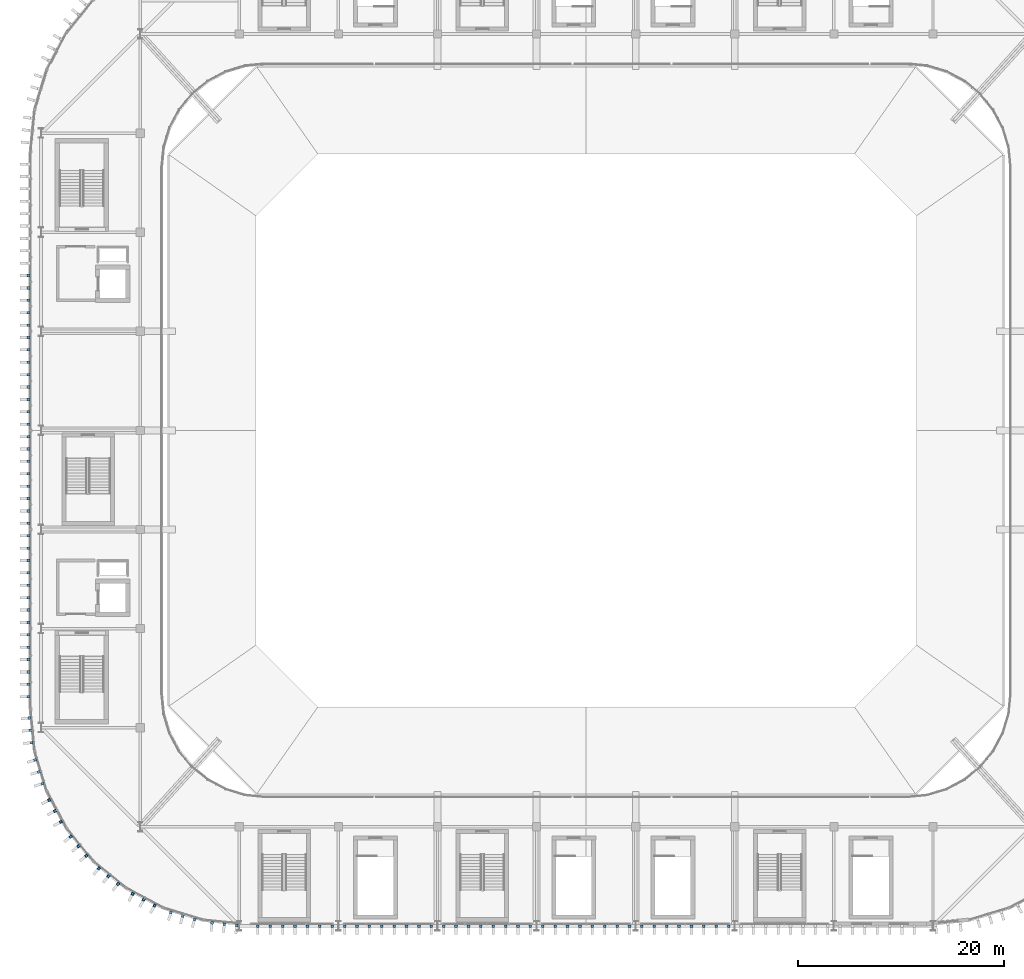
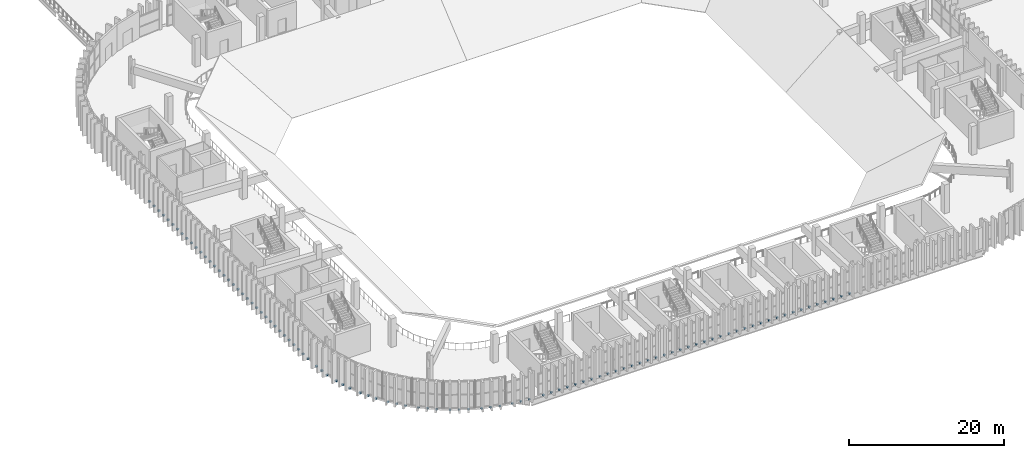
# One storey, part 50 of 69: 98 discrete accessories.
"""IFC4 building model written with IfcOpenShell, lengths in metres."""

from ifc_helpers import new_model, si_unit, direction, frame, origin, origin_2d, place, context, subcontext, project, spatial, rectangle, extrude, material, type_object, element, save


model = new_model("IFC4")

# Units and contexts
model_context = context("Model", 3, precision=1e-05, world=origin(), true_north=direction((0.0, 1.0)))
body_context = subcontext(model_context, "Body", "Model", "MODEL_VIEW")
ifc_project = project(units=[si_unit("LENGTHUNIT", "METRE"), si_unit("AREAUNIT", "SQUARE_METRE"), si_unit("VOLUMEUNIT", "CUBIC_METRE"), si_unit("PLANEANGLEUNIT", "RADIAN"), si_unit("MASSUNIT", "GRAM", prefix="KILO")], contexts=[model_context])

# Site, building, storey
site_placement = place(None, origin())
site = spatial("IfcSite", under=ifc_project, at=site_placement, CompositionType="ELEMENT")
building_placement = place(site_placement, origin())
building = spatial("IfcBuilding", under=site, at=building_placement, Name="Caelomonte Colonnade Arena", CompositionType="ELEMENT")
storey_placement = place(building_placement, frame((0.0, 0.0, 18.60009765625)))
storey = spatial("IfcBuildingStorey", under=building, at=storey_placement, Name="L04", CompositionType="ELEMENT", Elevation=18.60009765625)

# Discrete accessories
ifc_material = material(Name="Steel ASTM A572 Grade 50", Category="steel")
discrete_accessory_type = type_object("IfcDiscreteAccessoryType", Name="ENV-ACC-BRK", PredefinedType="BRACKET", material=ifc_material)
for number, where, z_axis, x_axis, name in (
    (1, (56.3701171875, 82.199951171875, -0.2099609375), (0.0, 0.0, 1.0), (0.0, -1.0, 0.0), "V1 L04 fin support bracket 180"),
    (2, (56.3701171875, 81.0, -0.2099609375), (0.0, 0.0, 1.0), (0.0, -1.0, 0.0), "V1 L04 fin support bracket 181"),
    (3, (56.3701171875, 79.800048828125, -0.2099609375), (0.0, 0.0, 1.0), (0.0, -1.0, 0.0), "V1 L04 fin support bracket 182"),
    (4, (56.3701171875, 78.60009765625, -0.2099609375), (0.0, 0.0, 1.0), (0.0, -1.0, 0.0), "V1 L04 fin support bracket 183"),
    (5, (56.3701171875, 77.39990234375, -0.2099609375), (0.0, 0.0, 1.0), (0.0, -1.0, 0.0), "V1 L04 fin support bracket 184"),
    (6, (56.3701171875, 76.199951171875, -0.2099609375), (0.0, 0.0, 1.0), (0.0, -1.0, 0.0), "V1 L04 fin support bracket 185"),
    (7, (56.3701171875, 75.0, -0.2099609375), (0.0, 0.0, 1.0), (0.0, -1.0, 0.0), "V1 L04 fin support bracket 186"),
    (8, (56.3701171875, 73.800048828125, -0.2099609375), (0.0, 0.0, 1.0), (0.0, -1.0, 0.0), "V1 L04 fin support bracket 187"),
    (9, (56.3701171875, 72.60009765625, -0.2099609375), (0.0, 0.0, 1.0), (0.0, -1.0, 0.0), "V1 L04 fin support bracket 188"),
    (10, (56.3701171875, 71.39990234375, -0.2099609375), (0.0, 0.0, 1.0), (0.0, -1.0, 0.0), "V1 L04 fin support bracket 189"),
    (11, (56.3701171875, 70.199951171875, -0.2099609375), (0.0, 0.0, 1.0), (0.0, -1.0, 0.0), "V1 L04 fin support bracket 190"),
    (12, (56.3701171875, 69.0, -0.2099609375), (0.0, 0.0, 1.0), (0.0, -1.0, 0.0), "V1 L04 fin support bracket 191"),
    (13, (56.3701171875, 67.800048828125, -0.2099609375), (0.0, 0.0, 1.0), (0.0, -1.0, 0.0), "V1 L04 fin support bracket 192"),
    (14, (56.3701171875, 66.60009765625, -0.2099609375), (0.0, 0.0, 1.0), (0.0, -1.0, 0.0), "V1 L04 fin support bracket 193"),
    (15, (56.3701171875, 65.39990234375, -0.2099609375), (0.0, 0.0, 1.0), (0.0, -1.0, 0.0), "V1 L04 fin support bracket 194"),
    (16, (56.3701171875, 64.199951171875, -0.2099609375), (0.0, 0.0, 1.0), (0.0, -1.0, 0.0), "V1 L04 fin support bracket 195"),
    (17, (56.3701171875, 63.0, -0.2099609375), (0.0, 0.0, 1.0), (0.0, -1.0, 0.0), "V1 L04 fin support bracket 196"),
    (18, (56.3701171875, 61.800048828125, -0.2099609375), (0.0, 0.0, 1.0), (0.0, -1.0, 0.0), "V1 L04 fin support bracket 197"),
    (19, (56.3701171875, 60.60009765625, -0.2099609375), (0.0, 0.0, 1.0), (0.0, -1.0, 0.0), "V1 L04 fin support bracket 198"),
    (20, (56.3701171875, 59.39990234375, -0.2099609375), (0.0, 0.0, 1.0), (0.0, -1.0, 0.0), "V1 L04 fin support bracket 199"),
    (21, (56.3701171875, 58.199951171875, -0.2099609375), (0.0, 0.0, 1.0), (0.0, -1.0, 0.0), "V1 L04 fin support bracket 200"),
    (22, (56.3701171875, 57.0, -0.2099609375), (0.0, 0.0, 1.0), (0.0, -1.0, 0.0), "V1 L04 fin support bracket 201"),
    (23, (56.3701171875, 55.800048828125, -0.2099609375), (0.0, 0.0, 1.0), (0.0, -1.0, 0.0), "V1 L04 fin support bracket 202"),
    (24, (56.3701171875, 54.60009765625, -0.2099609375), (0.0, 0.0, 1.0), (0.0, -1.0, 0.0), "V1 L04 fin support bracket 203"),
    (25, (56.3701171875, 53.39990234375, -0.2099609375), (0.0, 0.0, 1.0), (0.0, -1.0, 0.0), "V1 L04 fin support bracket 204"),
    (26, (56.3701171875, 52.199951171875, -0.2099609375), (0.0, 0.0, 1.0), (0.0, -1.0, 0.0), "V1 L04 fin support bracket 205"),
    (27, (56.3701171875, 51.0, -0.2099609375), (0.0, 0.0, 1.0), (0.0, -1.0, 0.0), "V1 L04 fin support bracket 206"),
    (28, (56.3701171875, 49.800048828125, -0.2099609375), (0.0, 0.0, 1.0), (0.0, -1.0, 0.0), "V1 L04 fin support bracket 207"),
    (29, (56.3701171875, 48.60009765625, -0.2099609375), (0.0, 0.0, 1.0), (0.0, -1.0, 0.0), "V1 L04 fin support bracket 208"),
    (30, (56.3701171875, 47.39990234375, -0.2099609375), (0.0, 0.0, 1.0), (0.0, -1.0, 0.0), "V1 L04 fin support bracket 209"),
    (31, (56.3701171875, 46.199951171875, -0.2099609375), (0.0, 0.0, 1.0), (0.0, -1.0, 0.0), "V1 L04 fin support bracket 210"),
    (32, (56.3701171875, 45.0, -0.2099609375), (0.0, 0.0, 1.0), (0.0, -1.0, 0.0), "V1 L04 fin support bracket 211"),
    (33, (56.3701171875, 43.800048828125, -0.2099609375), (0.0, 0.0, 1.0), (0.0, -1.0, 0.0), "V1 L04 fin support bracket 212"),
    (34, (56.3701171875, 42.60009765625, -0.2099609375), (0.0, 0.0, 1.0), (0.0, -1.0, 0.0), "V1 L04 fin support bracket 213"),
    (35, (56.3701171875, 41.39990234375, -0.2099609375), (0.0, 0.0, 1.0), (0.0, -1.0, 0.0), "V1 L04 fin support bracket 214"),
    (36, (56.454345703125, 39.3427734375, -0.2099609375), (0.0, 0.0, 1.0), (0.098015403404, -0.995184897743, 0.0), "V1 L04 fin support bracket 215"),
    (37, (56.572021484375, 38.148681640625, -0.2099609375), (0.0, 0.0, 1.0), (0.098015403404, -0.995184897743, 0.0), "V1 L04 fin support bracket 216"),
    (38, (56.689453125, 36.954345703125, -0.2099609375), (0.0, 0.0, 1.0), (0.098015403404, -0.995184897743, 0.0), "V1 L04 fin support bracket 217"),
    (39, (57.02392578125, 35.27294921875, -0.2099609375), (0.0, 0.0, 1.0), (0.290276326364, -0.956942868907, 0.0), "V1 L04 fin support bracket 218"),
    (40, (57.372314453125, 34.12451171875, -0.2099609375), (0.0, 0.0, 1.0), (0.290276326364, -0.956942868907, 0.0), "V1 L04 fin support bracket 219"),
    (41, (57.720703125, 32.976318359375, -0.2099609375), (0.0, 0.0, 1.0), (0.290276326364, -0.956942868907, 0.0), "V1 L04 fin support bracket 220"),
    (42, (58.376708984375, 31.392578125, -0.2099609375), (0.0, 0.0, 1.0), (0.471396736826, -0.881921264348, 0.0), "V1 L04 fin support bracket 221"),
    (43, (58.9423828125, 30.334228515625, -0.2099609375), (0.0, 0.0, 1.0), (0.471396736826, -0.881921264348, 0.0), "V1 L04 fin support bracket 222"),
    (44, (59.508056640625, 29.27587890625, -0.2099609375), (0.0, 0.0, 1.0), (0.471396736826, -0.881921264348, 0.0), "V1 L04 fin support bracket 223"),
    (45, (60.46044921875, 27.8505859375, -0.2099609375), (0.0, 0.0, 1.0), (0.634413521313, -0.77299384472, 0.0), "V1 L04 fin support bracket 224"),
    (46, (61.2216796875, 26.9228515625, -0.2099609375), (0.0, 0.0, 1.0), (0.634413521313, -0.77299384472, 0.0), "V1 L04 fin support bracket 225"),
    (47, (61.983154296875, 25.995361328125, -0.2099609375), (0.0, 0.0, 1.0), (0.634413521313, -0.77299384472, 0.0), "V1 L04 fin support bracket 226"),
    (48, (63.1953125, 24.783203125, -0.2099609375), (0.0, 0.0, 1.0), (0.77299384472, -0.634413521313, 0.0), "V1 L04 fin support bracket 227"),
    (49, (64.122802734375, 24.021728515625, -0.2099609375), (0.0, 0.0, 1.0), (0.77299384472, -0.634413521313, 0.0), "V1 L04 fin support bracket 228"),
    (50, (65.050537109375, 23.260498046875, -0.2099609375), (0.0, 0.0, 1.0), (0.77299384472, -0.634413521313, 0.0), "V1 L04 fin support bracket 229"),
    (51, (66.475830078125, 22.30810546875, -0.2099609375), (0.0, 0.0, 1.0), (0.881921264348, -0.471396736826, 0.0), "V1 L04 fin support bracket 230"),
    (52, (67.5341796875, 21.7421875, -0.2099609375), (0.0, 0.0, 1.0), (0.881921264348, -0.471396736826, 0.0), "V1 L04 fin support bracket 231"),
    (53, (68.592529296875, 21.1767578125, -0.2099609375), (0.0, 0.0, 1.0), (0.881921264348, -0.471396736826, 0.0), "V1 L04 fin support bracket 232"),
    (54, (70.17626953125, 20.5205078125, -0.2099609375), (0.0, 0.0, 1.0), (0.956942868907, -0.290276326364, 0.0), "V1 L04 fin support bracket 233"),
    (55, (71.32470703125, 20.17236328125, -0.2099609375), (0.0, 0.0, 1.0), (0.956942868907, -0.290276326364, 0.0), "V1 L04 fin support bracket 234"),
    (56, (72.472900390625, 19.823974609375, -0.2099609375), (0.0, 0.0, 1.0), (0.956942868907, -0.290276326364, 0.0), "V1 L04 fin support bracket 235"),
    (57, (74.154296875, 19.489501953125, -0.2099609375), (0.0, 0.0, 1.0), (0.995184897743, -0.098015403404, 0.0), "V1 L04 fin support bracket 236"),
    (58, (75.3486328125, 19.371826171875, -0.2099609375), (0.0, 0.0, 1.0), (0.995184897743, -0.098015403404, 0.0), "V1 L04 fin support bracket 237"),
    (59, (76.542724609375, 19.25439453125, -0.2099609375), (0.0, 0.0, 1.0), (0.995184897743, -0.098015403404, 0.0), "V1 L04 fin support bracket 238"),
    (60, (78.60009765625, 19.169921875, -0.2099609375), (0.0, 0.0, 1.0), (1.0, 0.0, 0.0), "V1 L04 fin support bracket 239"),
    (61, (79.800048828125, 19.169921875, -0.2099609375), (0.0, 0.0, 1.0), (1.0, 0.0, 0.0), "V1 L04 fin support bracket 240"),
    (62, (81.0, 19.169921875, -0.2099609375), (0.0, 0.0, 1.0), (1.0, 0.0, 0.0), "V1 L04 fin support bracket 241"),
    (63, (82.199951171875, 19.169921875, -0.2099609375), (0.0, 0.0, 1.0), (1.0, 0.0, 0.0), "V1 L04 fin support bracket 242"),
    (64, (83.39990234375, 19.169921875, -0.2099609375), (0.0, 0.0, 1.0), (1.0, 0.0, 0.0), "V1 L04 fin support bracket 243"),
    (65, (84.60009765625, 19.169921875, -0.2099609375), (0.0, 0.0, 1.0), (1.0, 0.0, 0.0), "V1 L04 fin support bracket 244"),
    (66, (85.800048828125, 19.169921875, -0.2099609375), (0.0, 0.0, 1.0), (1.0, 0.0, 0.0), "V1 L04 fin support bracket 245"),
    (67, (87.0, 19.169921875, -0.2099609375), (0.0, 0.0, 1.0), (1.0, 0.0, 0.0), "V1 L04 fin support bracket 246"),
    (68, (88.199951171875, 19.169921875, -0.2099609375), (0.0, 0.0, 1.0), (1.0, 0.0, 0.0), "V1 L04 fin support bracket 247"),
    (69, (89.39990234375, 19.169921875, -0.2099609375), (0.0, 0.0, 1.0), (1.0, 0.0, 0.0), "V1 L04 fin support bracket 248"),
    (70, (90.60009765625, 19.169921875, -0.2099609375), (0.0, 0.0, 1.0), (1.0, 0.0, 0.0), "V1 L04 fin support bracket 249"),
    (71, (91.800048828125, 19.169921875, -0.2099609375), (0.0, 0.0, 1.0), (1.0, 0.0, 0.0), "V1 L04 fin support bracket 250"),
    (72, (93.0, 19.169921875, -0.2099609375), (0.0, 0.0, 1.0), (1.0, 0.0, 0.0), "V1 L04 fin support bracket 251"),
    (73, (94.199951171875, 19.169921875, -0.2099609375), (0.0, 0.0, 1.0), (1.0, 0.0, 0.0), "V1 L04 fin support bracket 252"),
    (74, (95.39990234375, 19.169921875, -0.2099609375), (0.0, 0.0, 1.0), (1.0, 0.0, 0.0), "V1 L04 fin support bracket 253"),
    (75, (96.60009765625, 19.169921875, -0.2099609375), (0.0, 0.0, 1.0), (1.0, 0.0, 0.0), "V1 L04 fin support bracket 254"),
    (76, (97.800048828125, 19.169921875, -0.2099609375), (0.0, 0.0, 1.0), (1.0, 0.0, 0.0), "V1 L04 fin support bracket 255"),
    (77, (99.0, 19.169921875, -0.2099609375), (0.0, 0.0, 1.0), (1.0, 0.0, 0.0), "V1 L04 fin support bracket 256"),
    (78, (100.199951171875, 19.169921875, -0.2099609375), (0.0, 0.0, 1.0), (1.0, 0.0, 0.0), "V1 L04 fin support bracket 257"),
    (79, (101.39990234375, 19.169921875, -0.2099609375), (0.0, 0.0, 1.0), (1.0, 0.0, 0.0), "V1 L04 fin support bracket 258"),
    (80, (102.60009765625, 19.169921875, -0.2099609375), (0.0, 0.0, 1.0), (1.0, 0.0, 0.0), "V1 L04 fin support bracket 259"),
    (81, (103.800048828125, 19.169921875, -0.2099609375), (0.0, 0.0, 1.0), (1.0, 0.0, 0.0), "V1 L04 fin support bracket 260"),
    (82, (105.0, 19.169921875, -0.2099609375), (0.0, 0.0, 1.0), (1.0, 0.0, 0.0), "V1 L04 fin support bracket 261"),
    (83, (106.199951171875, 19.169921875, -0.2099609375), (0.0, 0.0, 1.0), (1.0, 0.0, 0.0), "V1 L04 fin support bracket 262"),
    (84, (107.39990234375, 19.169921875, -0.2099609375), (0.0, 0.0, 1.0), (1.0, 0.0, 0.0), "V1 L04 fin support bracket 263"),
    (85, (108.60009765625, 19.169921875, -0.2099609375), (0.0, 0.0, 1.0), (1.0, 0.0, 0.0), "V1 L04 fin support bracket 264"),
    (86, (109.800048828125, 19.169921875, -0.2099609375), (0.0, 0.0, 1.0), (1.0, 0.0, 0.0), "V1 L04 fin support bracket 265"),
    (87, (111.0, 19.169921875, -0.2099609375), (0.0, 0.0, 1.0), (1.0, 0.0, 0.0), "V1 L04 fin support bracket 266"),
    (88, (112.199951171875, 19.169921875, -0.2099609375), (0.0, 0.0, 1.0), (1.0, 0.0, 0.0), "V1 L04 fin support bracket 267"),
    (89, (113.39990234375, 19.169921875, -0.2099609375), (0.0, 0.0, 1.0), (1.0, 0.0, 0.0), "V1 L04 fin support bracket 268"),
    (90, (114.60009765625, 19.169921875, -0.2099609375), (0.0, 0.0, 1.0), (1.0, 0.0, 0.0), "V1 L04 fin support bracket 269"),
    (91, (115.800048828125, 19.169921875, -0.2099609375), (0.0, 0.0, 1.0), (1.0, 0.0, 0.0), "V1 L04 fin support bracket 270"),
    (92, (117.0, 19.169921875, -0.2099609375), (0.0, 0.0, 1.0), (1.0, 0.0, 0.0), "V1 L04 fin support bracket 271"),
    (93, (118.199951171875, 19.169921875, -0.2099609375), (0.0, 0.0, 1.0), (1.0, 0.0, 0.0), "V1 L04 fin support bracket 272"),
    (94, (119.39990234375, 19.169921875, -0.2099609375), (0.0, 0.0, 1.0), (1.0, 0.0, 0.0), "V1 L04 fin support bracket 273"),
    (95, (120.60009765625, 19.169921875, -0.2099609375), (0.0, 0.0, 1.0), (1.0, 0.0, 0.0), "V1 L04 fin support bracket 274"),
    (96, (121.800048828125, 19.169921875, -0.2099609375), (0.0, 0.0, 1.0), (1.0, 0.0, 0.0), "V1 L04 fin support bracket 275"),
    (97, (123.0, 19.169921875, -0.2099609375), (0.0, 0.0, 1.0), (1.0, 0.0, 0.0), "V1 L04 fin support bracket 276"),
    (98, (124.199951171875, 19.169921875, -0.2099609375), (0.0, 0.0, 1.0), (1.0, 0.0, 0.0), "V1 L04 fin support bracket 277"),
):
    element("IfcDiscreteAccessory", number, at=place(storey_placement, frame(where, z_axis=z_axis, x_axis=x_axis)), inside=storey, type_object=discrete_accessory_type, Name=name, PredefinedType="BRACKET", context=body_context, shape_type="SweptSolid", body=[
        extrude(rectangle(XDim=0.260009765625, YDim=0.260009765625, at=origin_2d()), origin(), (0.0, 0.0, 1.0), 0.179931640625),
    ])

save(model, "model.ifc")
